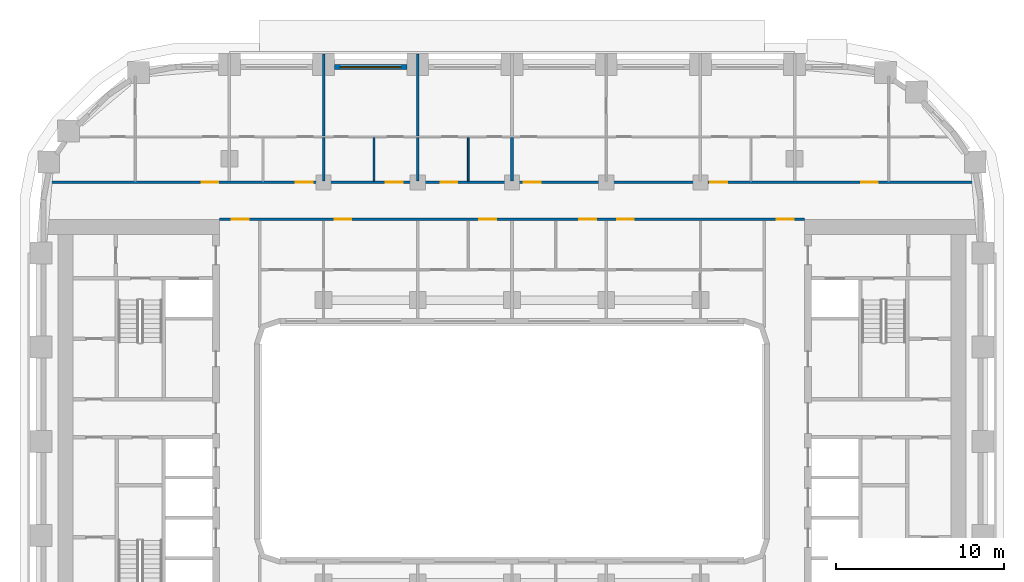
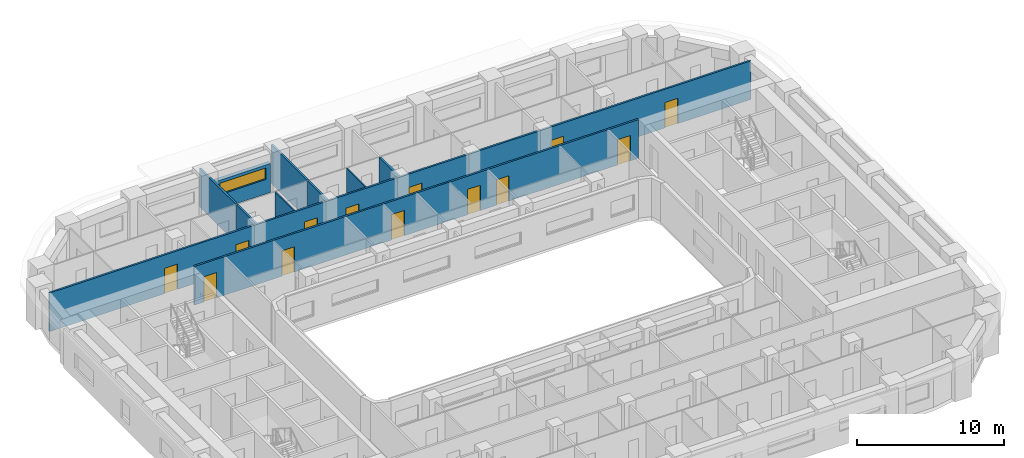
# One storey, part 8 of 21: 13 doors, 10 walls, 1 window, 14 openings.
"""IFC4 building model written with IfcOpenShell, lengths in metres."""

from ifc_helpers import new_model, si_unit, direction, frame, frame_2d, origin, place, context, subcontext, project, spatial, rectangle, extrude, material, layer, layer_set, type_object, element, fill, save


model = new_model("IFC4")

# Units and contexts
model_context = context("Model", 3, precision=1e-05, world=origin(), true_north=direction((0.0, 1.0)))
body_context = subcontext(model_context, "Body", "Model", "MODEL_VIEW")
ifc_project = project(units=[si_unit("LENGTHUNIT", "METRE"), si_unit("AREAUNIT", "SQUARE_METRE"), si_unit("VOLUMEUNIT", "CUBIC_METRE"), si_unit("PLANEANGLEUNIT", "RADIAN"), si_unit("MASSUNIT", "GRAM", prefix="KILO")], contexts=[model_context])

# Site, building, storey
site_placement = place(None, origin())
site = spatial("IfcSite", under=ifc_project, at=site_placement, CompositionType="ELEMENT")
building_placement = place(site_placement, origin())
building = spatial("IfcBuilding", under=site, at=building_placement, Name="Kiln Ring Residences", CompositionType="ELEMENT")
storey_placement = place(building_placement, frame((0.0, 0.0, 100.800048828125)))
storey = spatial("IfcBuildingStorey", under=building, at=storey_placement, Name="L25", CompositionType="ELEMENT", Elevation=100.800048828125)

# Wall, opening, window
ifc_material_1 = material(Name="Brick masonry, dark clay brick", Category="masonry")
ifc_layer_1 = layer(ifc_material_1, 0.300048828125)
ifc_layer_set_1 = layer_set([ifc_layer_1], Name="EW-300 BRICK WALL")
wall_type_1 = type_object("IfcWallType", Name="EW-300 BRICK WALL", PredefinedType="SOLIDWALL", material=ifc_layer_set_1)
wall_1_placement = place(storey_placement, frame((-6.25, 22.25, 0.0), z_axis=(0.0, 0.0, 1.0), x_axis=(-1.0, 0.0, 0.0)))
wall_1 = element("IfcWall", 1, at=wall_1_placement, inside=storey, type_object=wall_type_1, Name="Facade wall L25 33", PredefinedType="SOLIDWALL", context=body_context, shape_type="SweptSolid", body=[
    extrude(rectangle(XDim=4.300048828125, YDim=0.300048828125, at=frame_2d((2.14990234375, 0.0))), origin(), (0.0, 0.0, 1.0), 2.39990234375),
])
opening_1_placement = place(wall_1_placement, frame((0.35009765625, 0.0, 1.199951171875)))
opening_1 = element("IfcOpeningElement", 2, at=opening_1_placement, cuts=wall_1, Name="Opening W4", PredefinedType="OPENING", context=body_context, shape_type="SweptSolid", body=[
    extrude(rectangle(XDim=3.60009765625, YDim=0.949951171875, at=frame_2d((1.800048828125, 0.47509765625))), frame((0.0, 0.159912109375, 0.0), z_axis=(0.0, -1.0, 0.0), x_axis=(1.0, 0.0, 0.0)), (0.0, 0.0, 1.0), 0.320068359375),
])
ifc_material_2 = material(Name="Aluminium frame with double glazing", Category="aluminium")
window_type = type_object("IfcWindowType", Name="WINDOW 3600 x 950", PartitioningType="SINGLE_PANEL", PredefinedType="WINDOW", material=ifc_material_2)
window_placement = place(opening_1_placement, origin())
window = element("IfcWindow", 3, at=window_placement, inside=storey, type_object=window_type, Name="Window L25 18", OverallHeight=0.949951171875, OverallWidth=3.60009765625, PartitioningType="SINGLE_PANEL", PredefinedType="WINDOW", context=body_context, shape_type="SweptSolid", body=[
    extrude(rectangle(XDim=3.60009765625, YDim=0.949951171875, at=frame_2d((1.800048828125, 0.47509765625))), frame((0.0, 0.030029296875, 0.0), z_axis=(0.0, -1.0, 0.0), x_axis=(1.0, 0.0, 0.0)), (0.0, 0.0, 1.0), 0.06005859375),
])
fill(opening_1, window)

# Walls
ifc_material_3 = material(Name="Gypsum board on steel studs", Category="steel")
ifc_layer_2 = layer(ifc_material_3, 0.10009765625)
ifc_layer_set_2 = layer_set([ifc_layer_2], Name="PARTITION-100")
wall_type_2 = type_object("IfcWallType", Name="PARTITION-100", PredefinedType="PARTITIONING", material=ifc_layer_set_2)
for number, where, z_axis, x_axis, name in (
    (4, (-8.199951171875, 15.47509765625, 0.0), (0.0, 0.0, 1.0), (0.0, 1.0, 0.0), "Partition 027"),
    (5, (-2.60009765625, 15.47509765625, 0.0), (0.0, 0.0, 1.0), (0.0, 1.0, 0.0), "Partition 038"),
):
    element("IfcWall", number, at=place(storey_placement, frame(where, z_axis=z_axis, x_axis=x_axis)), inside=storey, type_object=wall_type_2, Name=name, PredefinedType="PARTITIONING", context=body_context, shape_type="SweptSolid", body=[
        extrude(rectangle(XDim=2.574951171875, YDim=0.10009765625, at=frame_2d((1.28759765625, 0.0))), origin(), (0.0, 0.0, 1.0), 3.199951171875),
    ])

# Wall, openings, doors
ifc_material_4 = material(Name="Brick masonry partition", Category="masonry")
ifc_layer_3 = layer(ifc_material_4, 0.14990234375)
ifc_layer_set_3 = layer_set([ifc_layer_3], Name="PARTITION-150-ei60")
wall_type_3 = type_object("IfcWallType", Name="PARTITION-150-ei60", PredefinedType="PARTITIONING", material=ifc_layer_set_3)
wall_2_placement = place(storey_placement, frame((-17.39990234375, 13.199951171875, 0.0), z_axis=(0.0, 0.0, 1.0), x_axis=(1.0, 0.0, 0.0)))
wall_2 = element("IfcWall", 6, at=wall_2_placement, inside=storey, type_object=wall_type_3, Name="Partition 005", PredefinedType="PARTITIONING", context=body_context, shape_type="SweptSolid", body=[
    extrude(rectangle(XDim=34.7998046875, YDim=0.14990234375, at=frame_2d((17.39990234375, 0.0))), origin(), (0.0, 0.0, 1.0), 3.199951171875),
])
opening_2_placement = place(wall_2_placement, frame((0.75, 0.0, 0.0)))
opening_2 = element("IfcOpeningElement", 7, at=opening_2_placement, cuts=wall_2, Name="Opening L25-D001", PredefinedType="OPENING", context=body_context, shape_type="SweptSolid", body=[
    extrude(rectangle(XDim=1.0, YDim=2.10009765625, at=frame_2d((0.5, 1.050048828125))), frame((0.0, 0.0849609375, 0.0), z_axis=(0.0, -1.0, 0.0), x_axis=(1.0, 0.0, 0.0)), (0.0, 0.0, 1.0), 0.169921875),
])
opening_3_placement = place(wall_2_placement, frame((33.14990234375, 0.0, 0.0)))
opening_3 = element("IfcOpeningElement", 8, at=opening_3_placement, cuts=wall_2, Name="Opening L25-D002", PredefinedType="OPENING", context=body_context, shape_type="SweptSolid", body=[
    extrude(rectangle(XDim=1.0, YDim=2.10009765625, at=frame_2d((0.5, 1.050048828125))), frame((0.0, 0.0849609375, 0.0), z_axis=(0.0, -1.0, 0.0), x_axis=(1.0, 0.0, 0.0)), (0.0, 0.0, 1.0), 0.169921875),
])
opening_4_placement = place(wall_2_placement, frame((6.85009765625, 0.0, 0.0)))
opening_4 = element("IfcOpeningElement", 9, at=opening_4_placement, cuts=wall_2, Name="Opening L25-D005", PredefinedType="OPENING", context=body_context, shape_type="SweptSolid", body=[
    extrude(rectangle(XDim=1.0, YDim=2.10009765625, at=frame_2d((0.5, 1.050048828125))), frame((0.0, 0.0849609375, 0.0), z_axis=(0.0, -1.0, 0.0), x_axis=(1.0, 0.0, 0.0)), (0.0, 0.0, 1.0), 0.169921875),
])
opening_5_placement = place(wall_2_placement, frame((15.449951171875, 0.0, 0.0)))
opening_5 = element("IfcOpeningElement", 10, at=opening_5_placement, cuts=wall_2, Name="Opening L25-D009", PredefinedType="OPENING", context=body_context, shape_type="SweptSolid", body=[
    extrude(rectangle(XDim=1.0, YDim=2.10009765625, at=frame_2d((0.5, 1.050048828125))), frame((0.0, 0.0849609375, 0.0), z_axis=(0.0, -1.0, 0.0), x_axis=(1.0, 0.0, 0.0)), (0.0, 0.0, 1.0), 0.169921875),
])
opening_6_placement = place(wall_2_placement, frame((21.39990234375, 0.0, 0.0)))
opening_6 = element("IfcOpeningElement", 11, at=opening_6_placement, cuts=wall_2, Name="Opening L25-D012", PredefinedType="OPENING", context=body_context, shape_type="SweptSolid", body=[
    extrude(rectangle(XDim=1.0, YDim=2.10009765625, at=frame_2d((0.5, 1.050048828125))), frame((0.0, 0.0849609375, 0.0), z_axis=(0.0, -1.0, 0.0), x_axis=(1.0, 0.0, 0.0)), (0.0, 0.0, 1.0), 0.169921875),
])
opening_7_placement = place(wall_2_placement, frame((23.64990234375, 0.0, 0.0)))
opening_7 = element("IfcOpeningElement", 12, at=opening_7_placement, cuts=wall_2, Name="Opening L25-D015", PredefinedType="OPENING", context=body_context, shape_type="SweptSolid", body=[
    extrude(rectangle(XDim=1.0, YDim=2.10009765625, at=frame_2d((0.5, 1.050048828125))), frame((0.0, 0.0849609375, 0.0), z_axis=(0.0, -1.0, 0.0), x_axis=(1.0, 0.0, 0.0)), (0.0, 0.0, 1.0), 0.169921875),
])
ifc_material_5 = material(Name="Steel faced fire door leaf", Category="steel")
door_type = type_object("IfcDoorType", Name="FLAT-DOOR-1000-FR", OperationType="SINGLE_SWING_LEFT", PredefinedType="DOOR", material=ifc_material_5)
door_1_placement = place(opening_2_placement, origin())
door_1 = element("IfcDoor", 13, at=door_1_placement, inside=storey, type_object=door_type, Name="Door L25-D001", OperationType="SINGLE_SWING_RIGHT", OverallHeight=2.10009765625, OverallWidth=1.0, PredefinedType="DOOR", context=body_context, shape_type="SweptSolid", body=[
    extrude(rectangle(XDim=1.0, YDim=2.10009765625, at=frame_2d((0.5, 1.050048828125))), frame((0.0, 0.02490234375, 0.0), z_axis=(0.0, -1.0, 0.0), x_axis=(1.0, 0.0, 0.0)), (0.0, 0.0, 1.0), 0.050048828125),
])
fill(opening_2, door_1)
door_2_placement = place(opening_3_placement, origin())
door_2 = element("IfcDoor", 14, at=door_2_placement, inside=storey, type_object=door_type, Name="Door L25-D002", OperationType="SINGLE_SWING_LEFT", OverallHeight=2.10009765625, OverallWidth=1.0, PredefinedType="DOOR", context=body_context, shape_type="SweptSolid", body=[
    extrude(rectangle(XDim=1.0, YDim=2.10009765625, at=frame_2d((0.5, 1.050048828125))), frame((0.0, 0.02490234375, 0.0), z_axis=(0.0, -1.0, 0.0), x_axis=(1.0, 0.0, 0.0)), (0.0, 0.0, 1.0), 0.050048828125),
])
fill(opening_3, door_2)
door_3_placement = place(opening_4_placement, origin())
door_3 = element("IfcDoor", 15, at=door_3_placement, inside=storey, type_object=door_type, Name="Door L25-D005", OperationType="SINGLE_SWING_LEFT", OverallHeight=2.10009765625, OverallWidth=1.0, PredefinedType="DOOR", context=body_context, shape_type="SweptSolid", body=[
    extrude(rectangle(XDim=1.0, YDim=2.10009765625, at=frame_2d((0.5, 1.050048828125))), frame((0.0, 0.02490234375, 0.0), z_axis=(0.0, -1.0, 0.0), x_axis=(1.0, 0.0, 0.0)), (0.0, 0.0, 1.0), 0.050048828125),
])
fill(opening_4, door_3)
door_4_placement = place(opening_5_placement, origin())
door_4 = element("IfcDoor", 16, at=door_4_placement, inside=storey, type_object=door_type, Name="Door L25-D009", OperationType="SINGLE_SWING_LEFT", OverallHeight=2.10009765625, OverallWidth=1.0, PredefinedType="DOOR", context=body_context, shape_type="SweptSolid", body=[
    extrude(rectangle(XDim=1.0, YDim=2.10009765625, at=frame_2d((0.5, 1.050048828125))), frame((0.0, 0.02490234375, 0.0), z_axis=(0.0, -1.0, 0.0), x_axis=(1.0, 0.0, 0.0)), (0.0, 0.0, 1.0), 0.050048828125),
])
fill(opening_5, door_4)
door_5_placement = place(opening_6_placement, origin())
door_5 = element("IfcDoor", 17, at=door_5_placement, inside=storey, type_object=door_type, Name="Door L25-D012", OperationType="SINGLE_SWING_RIGHT", OverallHeight=2.10009765625, OverallWidth=1.0, PredefinedType="DOOR", context=body_context, shape_type="SweptSolid", body=[
    extrude(rectangle(XDim=1.0, YDim=2.10009765625, at=frame_2d((0.5, 1.050048828125))), frame((0.0, 0.02490234375, 0.0), z_axis=(0.0, -1.0, 0.0), x_axis=(1.0, 0.0, 0.0)), (0.0, 0.0, 1.0), 0.050048828125),
])
fill(opening_6, door_5)
door_6_placement = place(opening_7_placement, origin())
door_6 = element("IfcDoor", 18, at=door_6_placement, inside=storey, type_object=door_type, Name="Door L25-D015", OperationType="SINGLE_SWING_LEFT", OverallHeight=2.10009765625, OverallWidth=1.0, PredefinedType="DOOR", context=body_context, shape_type="SweptSolid", body=[
    extrude(rectangle(XDim=1.0, YDim=2.10009765625, at=frame_2d((0.5, 1.050048828125))), frame((0.0, 0.02490234375, 0.0), z_axis=(0.0, -1.0, 0.0), x_axis=(1.0, 0.0, 0.0)), (0.0, 0.0, 1.0), 0.050048828125),
])
fill(opening_7, door_6)

wall_3_placement = place(storey_placement, frame((-27.48388671875, 15.39990234375, 0.0), z_axis=(0.0, 0.0, 1.0), x_axis=(1.0, 0.0, 0.0)))
wall_3 = element("IfcWall", 19, at=wall_3_placement, inside=storey, type_object=wall_type_3, Name="Partition 006", PredefinedType="PARTITIONING", context=body_context, shape_type="SweptSolid", body=[
    extrude(rectangle(XDim=54.9677734375, YDim=0.14990234375, at=frame_2d((27.48388671875, 0.0))), origin(), (0.0, 0.0, 1.0), 3.199951171875),
])
opening_8_placement = place(wall_3_placement, frame((9.03369140625, 0.0, 0.0)))
opening_8 = element("IfcOpeningElement", 20, at=opening_8_placement, cuts=wall_3, Name="Opening L25-D019", PredefinedType="OPENING", context=body_context, shape_type="SweptSolid", body=[
    extrude(rectangle(XDim=1.0, YDim=2.10009765625, at=frame_2d((0.5, 1.050048828125))), frame((0.0, 0.0849609375, 0.0), z_axis=(0.0, -1.0, 0.0), x_axis=(1.0, 0.0, 0.0)), (0.0, 0.0, 1.0), 0.169921875),
])
opening_9_placement = place(wall_3_placement, frame((14.6337890625, 0.0, 0.0)))
opening_9 = element("IfcOpeningElement", 21, at=opening_9_placement, cuts=wall_3, Name="Opening L25-D023", PredefinedType="OPENING", context=body_context, shape_type="SweptSolid", body=[
    extrude(rectangle(XDim=1.0, YDim=2.10009765625, at=frame_2d((0.5, 1.050048828125))), frame((0.0, 0.0849609375, 0.0), z_axis=(0.0, -1.0, 0.0), x_axis=(1.0, 0.0, 0.0)), (0.0, 0.0, 1.0), 0.169921875),
])
opening_10_placement = place(wall_3_placement, frame((19.98388671875, 0.0, 0.0)))
opening_10 = element("IfcOpeningElement", 22, at=opening_10_placement, cuts=wall_3, Name="Opening L25-D026", PredefinedType="OPENING", context=body_context, shape_type="SweptSolid", body=[
    extrude(rectangle(XDim=1.0, YDim=2.10009765625, at=frame_2d((0.5, 1.050048828125))), frame((0.0, 0.0849609375, 0.0), z_axis=(0.0, -1.0, 0.0), x_axis=(1.0, 0.0, 0.0)), (0.0, 0.0, 1.0), 0.169921875),
])
opening_11_placement = place(wall_3_placement, frame((23.23388671875, 0.0, 0.0)))
opening_11 = element("IfcOpeningElement", 23, at=opening_11_placement, cuts=wall_3, Name="Opening L25-D029", PredefinedType="OPENING", context=body_context, shape_type="SweptSolid", body=[
    extrude(rectangle(XDim=1.0, YDim=2.10009765625, at=frame_2d((0.5, 1.050048828125))), frame((0.0, 0.0849609375, 0.0), z_axis=(0.0, -1.0, 0.0), x_axis=(1.0, 0.0, 0.0)), (0.0, 0.0, 1.0), 0.169921875),
])
opening_12_placement = place(wall_3_placement, frame((28.183837890625, 0.0, 0.0)))
opening_12 = element("IfcOpeningElement", 24, at=opening_12_placement, cuts=wall_3, Name="Opening L25-D032", PredefinedType="OPENING", context=body_context, shape_type="SweptSolid", body=[
    extrude(rectangle(XDim=1.0, YDim=2.10009765625, at=frame_2d((0.5, 1.050048828125))), frame((0.0, 0.0849609375, 0.0), z_axis=(0.0, -1.0, 0.0), x_axis=(1.0, 0.0, 0.0)), (0.0, 0.0, 1.0), 0.169921875),
])
opening_13_placement = place(wall_3_placement, frame((39.28369140625, 0.0, 0.0)))
opening_13 = element("IfcOpeningElement", 25, at=opening_13_placement, cuts=wall_3, Name="Opening L25-D036", PredefinedType="OPENING", context=body_context, shape_type="SweptSolid", body=[
    extrude(rectangle(XDim=1.0, YDim=2.10009765625, at=frame_2d((0.5, 1.050048828125))), frame((0.0, 0.0849609375, 0.0), z_axis=(0.0, -1.0, 0.0), x_axis=(1.0, 0.0, 0.0)), (0.0, 0.0, 1.0), 0.169921875),
])
opening_14_placement = place(wall_3_placement, frame((48.23388671875, 0.0, 0.0)))
opening_14 = element("IfcOpeningElement", 26, at=opening_14_placement, cuts=wall_3, Name="Opening L25-D039", PredefinedType="OPENING", context=body_context, shape_type="SweptSolid", body=[
    extrude(rectangle(XDim=1.0, YDim=2.10009765625, at=frame_2d((0.5, 1.050048828125))), frame((0.0, 0.0849609375, 0.0), z_axis=(0.0, -1.0, 0.0), x_axis=(1.0, 0.0, 0.0)), (0.0, 0.0, 1.0), 0.169921875),
])
door_7_placement = place(opening_8_placement, origin())
door_7 = element("IfcDoor", 27, at=door_7_placement, inside=storey, type_object=door_type, Name="Door L25-D019", OperationType="SINGLE_SWING_LEFT", OverallHeight=2.10009765625, OverallWidth=1.0, PredefinedType="DOOR", context=body_context, shape_type="SweptSolid", body=[
    extrude(rectangle(XDim=1.0, YDim=2.10009765625, at=frame_2d((0.5, 1.050048828125))), frame((0.0, 0.02490234375, 0.0), z_axis=(0.0, -1.0, 0.0), x_axis=(1.0, 0.0, 0.0)), (0.0, 0.0, 1.0), 0.050048828125),
])
fill(opening_8, door_7)
door_8_placement = place(opening_9_placement, origin())
door_8 = element("IfcDoor", 28, at=door_8_placement, inside=storey, type_object=door_type, Name="Door L25-D023", OperationType="SINGLE_SWING_LEFT", OverallHeight=2.10009765625, OverallWidth=1.0, PredefinedType="DOOR", context=body_context, shape_type="SweptSolid", body=[
    extrude(rectangle(XDim=1.0, YDim=2.10009765625, at=frame_2d((0.5, 1.050048828125))), frame((0.0, 0.02490234375, 0.0), z_axis=(0.0, -1.0, 0.0), x_axis=(1.0, 0.0, 0.0)), (0.0, 0.0, 1.0), 0.050048828125),
])
fill(opening_9, door_8)
door_9_placement = place(opening_10_placement, origin())
door_9 = element("IfcDoor", 29, at=door_9_placement, inside=storey, type_object=door_type, Name="Door L25-D026", OperationType="SINGLE_SWING_RIGHT", OverallHeight=2.10009765625, OverallWidth=1.0, PredefinedType="DOOR", context=body_context, shape_type="SweptSolid", body=[
    extrude(rectangle(XDim=1.0, YDim=2.10009765625, at=frame_2d((0.5, 1.050048828125))), frame((0.0, 0.02490234375, 0.0), z_axis=(0.0, -1.0, 0.0), x_axis=(1.0, 0.0, 0.0)), (0.0, 0.0, 1.0), 0.050048828125),
])
fill(opening_10, door_9)
door_10_placement = place(opening_11_placement, origin())
door_10 = element("IfcDoor", 30, at=door_10_placement, inside=storey, type_object=door_type, Name="Door L25-D029", OperationType="SINGLE_SWING_LEFT", OverallHeight=2.10009765625, OverallWidth=1.0, PredefinedType="DOOR", context=body_context, shape_type="SweptSolid", body=[
    extrude(rectangle(XDim=1.0, YDim=2.10009765625, at=frame_2d((0.5, 1.050048828125))), frame((0.0, 0.02490234375, 0.0), z_axis=(0.0, -1.0, 0.0), x_axis=(1.0, 0.0, 0.0)), (0.0, 0.0, 1.0), 0.050048828125),
])
fill(opening_11, door_10)
door_11_placement = place(opening_12_placement, origin())
door_11 = element("IfcDoor", 31, at=door_11_placement, inside=storey, type_object=door_type, Name="Door L25-D032", OperationType="SINGLE_SWING_RIGHT", OverallHeight=2.10009765625, OverallWidth=1.0, PredefinedType="DOOR", context=body_context, shape_type="SweptSolid", body=[
    extrude(rectangle(XDim=1.0, YDim=2.10009765625, at=frame_2d((0.5, 1.050048828125))), frame((0.0, 0.02490234375, 0.0), z_axis=(0.0, -1.0, 0.0), x_axis=(1.0, 0.0, 0.0)), (0.0, 0.0, 1.0), 0.050048828125),
])
fill(opening_12, door_11)
door_12_placement = place(opening_13_placement, origin())
door_12 = element("IfcDoor", 32, at=door_12_placement, inside=storey, type_object=door_type, Name="Door L25-D036", OperationType="SINGLE_SWING_RIGHT", OverallHeight=2.10009765625, OverallWidth=1.0, PredefinedType="DOOR", context=body_context, shape_type="SweptSolid", body=[
    extrude(rectangle(XDim=1.0, YDim=2.10009765625, at=frame_2d((0.5, 1.050048828125))), frame((0.0, 0.02490234375, 0.0), z_axis=(0.0, -1.0, 0.0), x_axis=(1.0, 0.0, 0.0)), (0.0, 0.0, 1.0), 0.050048828125),
])
fill(opening_13, door_12)
door_13_placement = place(opening_14_placement, origin())
door_13 = element("IfcDoor", 33, at=door_13_placement, inside=storey, type_object=door_type, Name="Door L25-D039", OperationType="SINGLE_SWING_LEFT", OverallHeight=2.10009765625, OverallWidth=1.0, PredefinedType="DOOR", context=body_context, shape_type="SweptSolid", body=[
    extrude(rectangle(XDim=1.0, YDim=2.10009765625, at=frame_2d((0.5, 1.050048828125))), frame((0.0, 0.02490234375, 0.0), z_axis=(0.0, -1.0, 0.0), x_axis=(1.0, 0.0, 0.0)), (0.0, 0.0, 1.0), 0.050048828125),
])
fill(opening_14, door_13)

# Walls
wall_4_placement = place(storey_placement, frame((-11.199951171875, 15.47509765625, 0.0), z_axis=(0.0, 0.0, 1.0), x_axis=(0.0, 1.0, 0.0)))
element("IfcWall", 34, at=wall_4_placement, inside=storey, type_object=wall_type_3, Name="Partition 025", PredefinedType="PARTITIONING", context=body_context, shape_type="SweptSolid", body=[
    extrude(rectangle(XDim=2.574951171875, YDim=0.14990234375, at=frame_2d((1.28759765625, 0.0))), origin(), (0.0, 0.0, 1.0), 3.199951171875),
])
wall_5_placement = place(storey_placement, frame((-11.199951171875, 18.14990234375, 0.0), z_axis=(0.0, 0.0, 1.0), x_axis=(0.0, 1.0, 0.0)))
element("IfcWall", 35, at=wall_5_placement, inside=storey, type_object=wall_type_3, Name="Partition 026", PredefinedType="PARTITIONING", context=body_context, shape_type="SweptSolid", body=[
    extrude(rectangle(XDim=4.880126953125, YDim=0.14990234375, at=frame_2d((2.43994140625, 0.0))), origin(), (0.0, 0.0, 1.0), 3.199951171875),
])
wall_6_placement = place(storey_placement, frame((-5.60009765625, 15.47509765625, 0.0), z_axis=(0.0, 0.0, 1.0), x_axis=(0.0, 1.0, 0.0)))
element("IfcWall", 36, at=wall_6_placement, inside=storey, type_object=wall_type_3, Name="Partition 034", PredefinedType="PARTITIONING", context=body_context, shape_type="SweptSolid", body=[
    extrude(rectangle(XDim=2.574951171875, YDim=0.14990234375, at=frame_2d((1.28759765625, 0.0))), origin(), (0.0, 0.0, 1.0), 3.199951171875),
])
wall_7_placement = place(storey_placement, frame((-5.60009765625, 18.14990234375, 0.0), z_axis=(0.0, 0.0, 1.0), x_axis=(0.0, 1.0, 0.0)))
element("IfcWall", 37, at=wall_7_placement, inside=storey, type_object=wall_type_3, Name="Partition 035", PredefinedType="PARTITIONING", context=body_context, shape_type="SweptSolid", body=[
    extrude(rectangle(XDim=4.880126953125, YDim=0.14990234375, at=frame_2d((2.43994140625, 0.0))), origin(), (0.0, 0.0, 1.0), 3.199951171875),
])
wall_8_placement = place(storey_placement, frame((0.0, 15.47509765625, 0.0), z_axis=(0.0, 0.0, 1.0), x_axis=(0.0, 1.0, 0.0)))
element("IfcWall", 38, at=wall_8_placement, inside=storey, type_object=wall_type_3, Name="Partition 046", PredefinedType="PARTITIONING", context=body_context, shape_type="SweptSolid", body=[
    extrude(rectangle(XDim=2.574951171875, YDim=0.14990234375, at=frame_2d((1.28759765625, 0.0))), origin(), (0.0, 0.0, 1.0), 3.199951171875),
])

save(model, "model.ifc")
